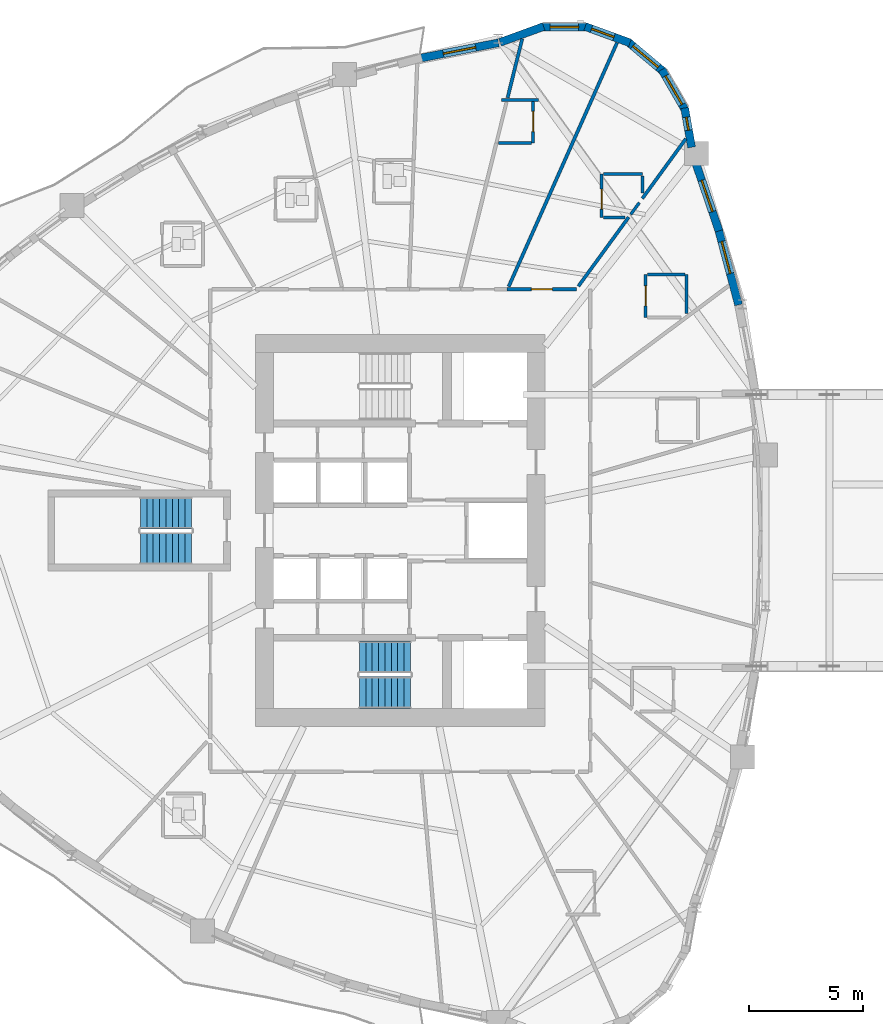
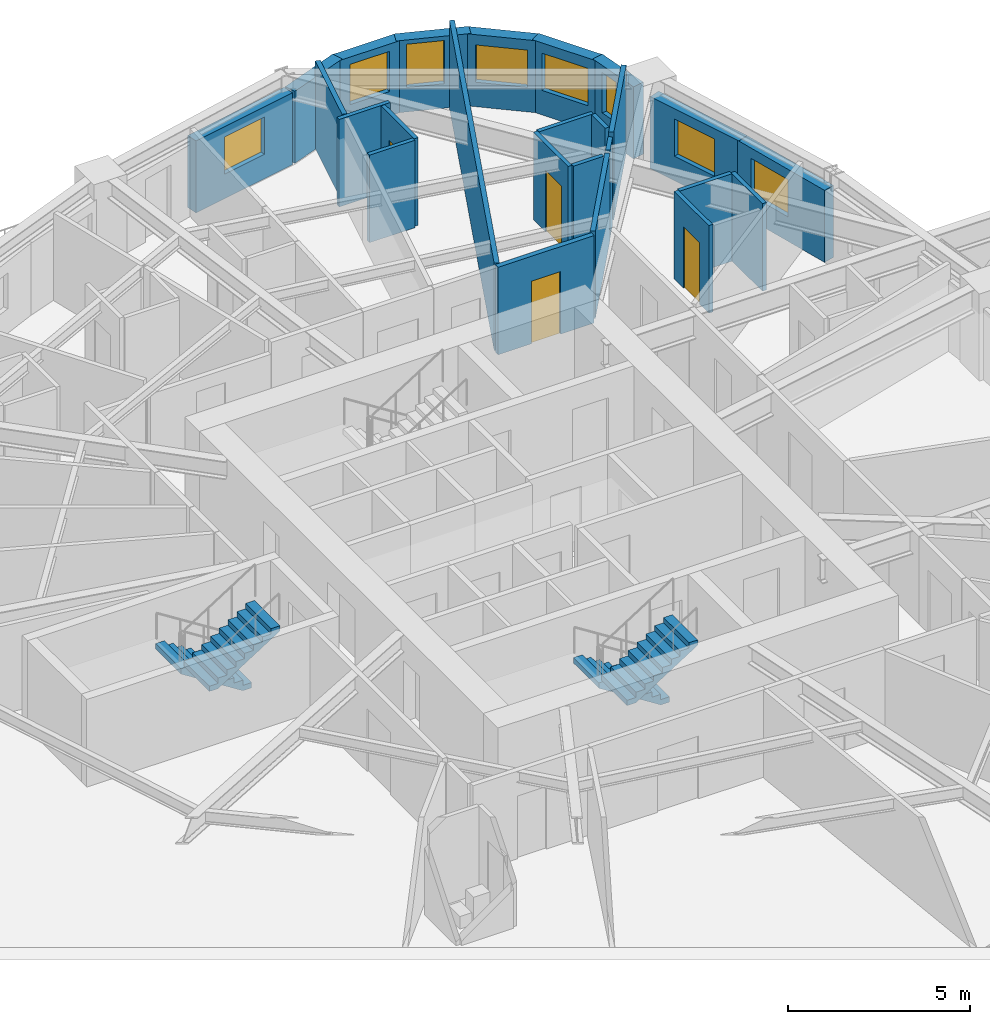
# One storey, part 12 of 18: 25 walls, 8 windows, 4 doors, 4 stair flights, 12 openings, 2 elements without a shape of their own.
"""IFC4 building model written with IfcOpenShell, lengths in metres."""

from ifc_helpers import new_model, si_unit, direction, frame, frame_2d, origin, place, context, subcontext, project, spatial, polyline, rectangle, outline, extrude, source, transform, mapped, material, layer, layer_set, type_object, element, fill, aggregate, save


model = new_model("IFC4")

# Units and contexts
model_context = context("Model", 3, precision=1e-05, world=origin(), true_north=direction((0.0, 1.0)))
body_context = subcontext(model_context, "Body", "Model", "MODEL_VIEW")
ifc_project = project(units=[si_unit("LENGTHUNIT", "METRE"), si_unit("AREAUNIT", "SQUARE_METRE"), si_unit("VOLUMEUNIT", "CUBIC_METRE"), si_unit("PLANEANGLEUNIT", "RADIAN"), si_unit("MASSUNIT", "GRAM", prefix="KILO")], contexts=[model_context])

# Site, building, storey
site_placement = place(None, origin())
site = spatial("IfcSite", under=ifc_project, at=site_placement, CompositionType="ELEMENT")
building_placement = place(site_placement, origin())
building = spatial("IfcBuilding", under=site, at=building_placement, Name="Qafzar Sky-Pleat Residences", CompositionType="ELEMENT")
storey_placement = place(building_placement, frame((0.0, 0.0, 27.0)))
storey = spatial("IfcBuildingStorey", under=building, at=storey_placement, Name="L07", CompositionType="ELEMENT", Elevation=27.0)

# Wall, opening, door
ifc_material_1 = material(Name="Acoustic gypsum plasterboard partition", Category="gypsum")
ifc_layer_1 = layer(ifc_material_1, 0.159912109375)
ifc_layer_set_1 = layer_set([ifc_layer_1], Name="Acoustic gypsum plasterboard partition")
wall_type_1 = type_object("IfcWallType", Name="PART-COR-160", PredefinedType="PARTITIONING", material=ifc_layer_set_1)
wall_1_placement = place(storey_placement, frame((35.035888671875, 36.580078125, 0.0), z_axis=(0.0, 0.0, 1.0), x_axis=(1.0, 0.0, 0.0)))
wall_1 = element("IfcWall", 1, at=wall_1_placement, inside=storey, type_object=wall_type_1, Name="L07 Partition Wall PART-L07-PW-013", PredefinedType="PARTITIONING", context=body_context, shape_type="SweptSolid", body=[
    extrude(rectangle(XDim=3.045166015625, YDim=0.159912109375, at=frame_2d((1.5224609375, 0.0))), origin(), (0.0, 0.0, 1.0), 2.93505859375),
])
opening_1_placement = place(wall_1_placement, frame((1.0615234375, 0.0, 0.0)))
opening_1 = element("IfcOpeningElement", 2, at=opening_1_placement, cuts=wall_1, Name="Opening ID-04", PredefinedType="OPENING", context=body_context, shape_type="SweptSolid", body=[
    extrude(rectangle(XDim=0.919921875, YDim=2.10009765625, at=frame_2d((0.4599609375, 1.050048828125))), frame((0.0, 0.08984375, 0.0), z_axis=(0.0, -1.0, 0.0), x_axis=(1.0, 0.0, 0.0)), (0.0, 0.0, 1.0), 0.179931640625),
])
ifc_material_2 = material(Name="Timber-faced fire door", Category="wood")
door_type_1 = type_object("IfcDoorType", Name="DR-BED-920", OperationType="NOTDEFINED", PredefinedType="DOOR", material=ifc_material_2)
shared_shape_1 = source(origin(), body_context, "Body", "SweptSolid", [
    extrude(rectangle(XDim=0.919921875, YDim=2.10009765625, at=frame_2d((0.4599609375, 1.050048828125))), frame((0.0, 0.02490234375, 0.0), z_axis=(0.0, -1.0, 0.0), x_axis=(1.0, 0.0, 0.0)), (0.0, 0.0, 1.0), 0.050048828125),
])
door_1_placement = place(opening_1_placement, origin())
door_1 = element("IfcDoor", 3, at=door_1_placement, inside=storey, type_object=door_type_1, Name="L07 Co-Living Bedroom 11 Door", OperationType="SINGLE_SWING_LEFT", OverallHeight=2.10009765625, OverallWidth=0.919921875, PredefinedType="DOOR", context=body_context, shape_type="MappedRepresentation", body=[
    mapped(shared_shape_1, transform((0.0, 0.0, 0.0), x_axis=(1.0, 0.0, 0.0), y_axis=(0.0, 1.0, 0.0), z_axis=(0.0, 0.0, 1.0), scale=1.0)),
])
fill(opening_1, door_1)

# Walls
ifc_layer_2 = layer(ifc_material_1, 0.14501953125)
ifc_layer_set_2 = layer_set([ifc_layer_2], Name="Acoustic gypsum plasterboard partition")
wall_type_2 = type_object("IfcWallType", Name="PART-UNIT-145", PredefinedType="PARTITIONING", material=ifc_layer_set_2)
wall_2_placement = place(storey_placement, frame((35.10400390625, 36.69677734375, 0.0), z_axis=(0.0, 0.0, 1.0), x_axis=(0.406121034368, 0.913819295837, 0.0)))
element("IfcWall", 4, at=wall_2_placement, inside=storey, type_object=wall_type_2, Name="L07 Partition Wall PART-L07-PW-035", PredefinedType="PARTITIONING", context=body_context, shape_type="SweptSolid", body=[
    extrude(rectangle(XDim=11.6953125, YDim=0.14501953125, at=frame_2d((5.84765625, 0.0))), origin(), (0.0, 0.0, 1.0), 2.93505859375),
])
wall_3_placement = place(storey_placement, frame((38.156982421875, 36.709228515625, 0.0), z_axis=(0.0, 0.0, 1.0), x_axis=(0.589039209188, 0.808104454906, 0.0)))
element("IfcWall", 5, at=wall_3_placement, inside=storey, type_object=wall_type_2, Name="L07 Partition Wall PART-L07-PW-053", PredefinedType="PARTITIONING", context=body_context, shape_type="SweptSolid", body=[
    extrude(rectangle(XDim=3.746826171875, YDim=0.14501953125, at=frame_2d((1.87353515625, 0.0))), origin(), (0.0, 0.0, 1.0), 2.93505859375),
])
wall_4_placement = place(storey_placement, frame((40.9609375, 40.554931640625, 0.0), z_axis=(0.0, 0.0, 1.0), x_axis=(0.589014212848, 0.808122674514, 0.0)))
element("IfcWall", 6, at=wall_4_placement, inside=storey, type_object=wall_type_2, Name="L07 Partition Wall PART-L07-PW-057", PredefinedType="PARTITIONING", context=body_context, shape_type="SweptSolid", body=[
    extrude(rectangle(XDim=3.238037109375, YDim=0.14501953125, at=frame_2d((1.619140625, 0.0))), origin(), (0.0, 0.0, 1.0), 2.93505859375),
])
wall_5_placement = place(storey_placement, frame((35.054443359375, 44.96923828125, 0.0), z_axis=(0.0, 0.0, 1.0), x_axis=(0.240615617293, 0.970620484388, 0.0)))
element("IfcWall", 7, at=wall_5_placement, inside=storey, type_object=wall_type_2, Name="L07 Partition Wall PART-L07-PW-058", PredefinedType="PARTITIONING", context=body_context, shape_type="SweptSolid", body=[
    extrude(rectangle(XDim=2.66357421875, YDim=0.14501953125, at=frame_2d((1.331787109375, 0.0))), origin(), (0.0, 0.0, 1.0), 2.93505859375),
])

# Wall, opening, door
ifc_material_3 = material(Name="Moisture-resistant gypsum partition", Category="gypsum")
ifc_layer_3 = layer(ifc_material_3, 0.1298828125)
ifc_layer_set_3 = layer_set([ifc_layer_3], Name="Moisture-resistant gypsum partition")
wall_type_3 = type_object("IfcWallType", Name="PART-WET-130", PredefinedType="PARTITIONING", material=ifc_layer_set_3)
wall_6_placement = place(storey_placement, frame((41.10595703125, 37.23291015625, 0.0), z_axis=(0.0, 0.0, 1.0), x_axis=(0.0, -1.0, 0.0)))
wall_6 = element("IfcWall", 8, at=wall_6_placement, inside=storey, type_object=wall_type_3, Name="L07 Partition Wall PART-L07-PW-027", PredefinedType="PARTITIONING", context=body_context, shape_type="SweptSolid", body=[
    extrude(rectangle(XDim=1.89990234375, YDim=0.1298828125, at=frame_2d((0.949951171875, 0.0))), origin(), (0.0, 0.0, 1.0), 2.93505859375),
])
opening_2_placement = place(wall_6_placement, frame((0.510009765625, 0.0, 0.0)))
opening_2 = element("IfcOpeningElement", 9, at=opening_2_placement, cuts=wall_6, Name="Opening ID-07", PredefinedType="OPENING", context=body_context, shape_type="SweptSolid", body=[
    extrude(rectangle(XDim=0.8798828125, YDim=2.050048828125, at=frame_2d((0.43994140625, 1.02490234375))), frame((0.0, 0.074951171875, 0.0), z_axis=(0.0, -1.0, 0.0), x_axis=(1.0, 0.0, 0.0)), (0.0, 0.0, 1.0), 0.14990234375),
])
door_type_2 = type_object("IfcDoorType", Name="DR-WET-880", OperationType="NOTDEFINED", PredefinedType="DOOR", material=ifc_material_2)
shared_shape_2 = source(origin(), body_context, "Body", "SweptSolid", [
    extrude(rectangle(XDim=0.8798828125, YDim=2.050048828125, at=frame_2d((0.43994140625, 1.02490234375))), frame((0.0, 0.02490234375, 0.0), z_axis=(0.0, -1.0, 0.0), x_axis=(1.0, 0.0, 0.0)), (0.0, 0.0, 1.0), 0.050048828125),
])
door_2_placement = place(opening_2_placement, origin())
door_2 = element("IfcDoor", 10, at=door_2_placement, inside=storey, type_object=door_type_2, Name="L07 En-suite Bathroom 10 Door", OperationType="SINGLE_SWING_LEFT", OverallHeight=2.050048828125, OverallWidth=0.8798828125, PredefinedType="DOOR", context=body_context, shape_type="MappedRepresentation", body=[
    mapped(shared_shape_2, transform((0.0, 0.0, 0.0), x_axis=(1.0, 0.0, 0.0), y_axis=(0.0, 1.0, 0.0), z_axis=(0.0, 0.0, 1.0), scale=1.0)),
])
fill(opening_2, door_2)

wall_7_placement = place(storey_placement, frame((39.176025390625, 41.6220703125, 0.0), z_axis=(0.0, 0.0, 1.0), x_axis=(0.0, -1.0, 0.0)))
wall_7 = element("IfcWall", 11, at=wall_7_placement, inside=storey, type_object=wall_type_3, Name="L07 Partition Wall PART-L07-PW-028", PredefinedType="PARTITIONING", context=body_context, shape_type="SweptSolid", body=[
    extrude(rectangle(XDim=1.900146484375, YDim=0.1298828125, at=frame_2d((0.9501953125, 0.0))), origin(), (0.0, 0.0, 1.0), 2.93505859375),
])
opening_3_placement = place(wall_7_placement, frame((0.655029296875, 0.0, 0.0)))
opening_3 = element("IfcOpeningElement", 12, at=opening_3_placement, cuts=wall_7, Name="Opening ID-07", PredefinedType="OPENING", context=body_context, shape_type="SweptSolid", body=[
    extrude(rectangle(XDim=0.8798828125, YDim=2.050048828125, at=frame_2d((0.43994140625, 1.02490234375))), frame((0.0, 0.074951171875, 0.0), z_axis=(0.0, -1.0, 0.0), x_axis=(1.0, 0.0, 0.0)), (0.0, 0.0, 1.0), 0.14990234375),
])
door_3_placement = place(opening_3_placement, origin())
door_3 = element("IfcDoor", 13, at=door_3_placement, inside=storey, type_object=door_type_2, Name="L07 En-suite Bathroom 11 Door", OperationType="SINGLE_SWING_RIGHT", OverallHeight=2.050048828125, OverallWidth=0.8798828125, PredefinedType="DOOR", context=body_context, shape_type="MappedRepresentation", body=[
    mapped(shared_shape_2, transform((0.0, 0.0, 0.0), x_axis=(1.0, 0.0, 0.0), y_axis=(0.0, 1.0, 0.0), z_axis=(0.0, 0.0, 1.0), scale=1.0)),
])
fill(opening_3, door_3)

wall_8_placement = place(storey_placement, frame((36.176025390625, 42.97900390625, 0.0), z_axis=(0.0, 0.0, 1.0), x_axis=(0.0, 1.0, 0.0)))
wall_8 = element("IfcWall", 14, at=wall_8_placement, inside=storey, type_object=wall_type_3, Name="L07 Partition Wall PART-L07-PW-029", PredefinedType="PARTITIONING", context=body_context, shape_type="SweptSolid", body=[
    extrude(rectangle(XDim=1.826904296875, YDim=0.1298828125, at=frame_2d((0.91357421875, 0.0))), origin(), (0.0, 0.0, 1.0), 2.93505859375),
])
opening_4_placement = place(wall_8_placement, frame((0.510009765625, 0.0, 0.0)))
opening_4 = element("IfcOpeningElement", 15, at=opening_4_placement, cuts=wall_8, Name="Opening ID-07", PredefinedType="OPENING", context=body_context, shape_type="SweptSolid", body=[
    extrude(rectangle(XDim=0.8798828125, YDim=2.050048828125, at=frame_2d((0.43994140625, 1.02490234375))), frame((0.0, 0.074951171875, 0.0), z_axis=(0.0, -1.0, 0.0), x_axis=(1.0, 0.0, 0.0)), (0.0, 0.0, 1.0), 0.14990234375),
])
door_4_placement = place(opening_4_placement, origin())
door_4 = element("IfcDoor", 16, at=door_4_placement, inside=storey, type_object=door_type_2, Name="L07 En-suite Bathroom 12 Door", OperationType="SINGLE_SWING_LEFT", OverallHeight=2.050048828125, OverallWidth=0.8798828125, PredefinedType="DOOR", context=body_context, shape_type="MappedRepresentation", body=[
    mapped(shared_shape_2, transform((0.0, 0.0, 0.0), x_axis=(1.0, 0.0, 0.0), y_axis=(0.0, 1.0, 0.0), z_axis=(0.0, 0.0, 1.0), scale=1.0)),
])
fill(opening_4, door_4)

# Walls
wall_9_placement = place(storey_placement, frame((42.906005859375, 35.505859375, 0.0), z_axis=(0.0, 0.0, 1.0), x_axis=(0.0, 1.0, 0.0)))
element("IfcWall", 17, at=wall_9_placement, inside=storey, type_object=wall_type_3, Name="L07 Partition Wall PART-L07-PW-065", PredefinedType="PARTITIONING", context=body_context, shape_type="SweptSolid", body=[
    extrude(rectangle(XDim=1.72705078125, YDim=0.1298828125, at=frame_2d((0.863525390625, 0.0))), origin(), (0.0, 0.0, 1.0), 2.93505859375),
])
wall_10_placement = place(storey_placement, frame((41.178955078125, 37.23291015625, 0.0), z_axis=(0.0, 0.0, 1.0), x_axis=(1.0, 0.0, 0.0)))
element("IfcWall", 18, at=wall_10_placement, inside=storey, type_object=wall_type_3, Name="L07 Partition Wall PART-L07-PW-077", PredefinedType="PARTITIONING", context=body_context, shape_type="SweptSolid", body=[
    extrude(rectangle(XDim=1.654052734375, YDim=0.1298828125, at=frame_2d((0.8271484375, 0.0))), origin(), (0.0, 0.0, 1.0), 2.93505859375),
])
wall_11_placement = place(storey_placement, frame((39.2490234375, 41.6220703125, 0.0), z_axis=(0.0, 0.0, 1.0), x_axis=(1.0, 0.0, 0.0)))
element("IfcWall", 19, at=wall_11_placement, inside=storey, type_object=wall_type_3, Name="L07 Partition Wall PART-L07-PW-078", PredefinedType="PARTITIONING", context=body_context, shape_type="SweptSolid", body=[
    extrude(rectangle(XDim=1.72705078125, YDim=0.1298828125, at=frame_2d((0.863525390625, 0.0))), origin(), (0.0, 0.0, 1.0), 2.93505859375),
])
wall_12_placement = place(storey_placement, frame((34.659912109375, 42.97900390625, 0.0), z_axis=(0.0, 0.0, 1.0), x_axis=(1.0, 0.0, 0.0)))
element("IfcWall", 20, at=wall_12_placement, inside=storey, type_object=wall_type_3, Name="L07 Partition Wall PART-L07-PW-086", PredefinedType="PARTITIONING", context=body_context, shape_type="SweptSolid", body=[
    extrude(rectangle(XDim=1.443115234375, YDim=0.1298828125, at=frame_2d((0.7216796875, 0.0))), origin(), (0.0, 0.0, 1.0), 2.93505859375),
])
wall_13_placement = place(storey_placement, frame((39.2490234375, 39.721923828125, 0.0), z_axis=(0.0, 0.0, 1.0), x_axis=(1.0, 0.0, 0.0)))
element("IfcWall", 21, at=wall_13_placement, inside=storey, type_object=wall_type_3, Name="L07 Partition Wall PART-L07-PW-091", PredefinedType="PARTITIONING", context=body_context, shape_type="SweptSolid", body=[
    extrude(rectangle(XDim=0.958984375, YDim=0.1298828125, at=frame_2d((0.4794921875, 0.0))), origin(), (0.0, 0.0, 1.0), 2.93505859375),
])
wall_14_placement = place(storey_placement, frame((34.7919921875, 44.87890625, 0.0), z_axis=(0.0, 0.0, 1.0), x_axis=(1.0, 0.0, 0.0)))
element("IfcWall", 22, at=wall_14_placement, inside=storey, type_object=wall_type_3, Name="L07 Partition Wall PART-L07-PW-092", PredefinedType="PARTITIONING", context=body_context, shape_type="SweptSolid", body=[
    extrude(rectangle(XDim=1.6240234375, YDim=0.1298828125, at=frame_2d((0.81201171875, 0.0))), origin(), (0.0, 0.0, 1.0), 2.93505859375),
])
wall_15_placement = place(storey_placement, frame((40.97607421875, 40.79638671875, 0.0), z_axis=(0.0, 0.0, 1.0), x_axis=(0.0, 1.0, 0.0)))
element("IfcWall", 23, at=wall_15_placement, inside=storey, type_object=wall_type_3, Name="L07 Partition Wall PART-L07-PW-093", PredefinedType="PARTITIONING", context=body_context, shape_type="SweptSolid", body=[
    extrude(rectangle(XDim=0.752685546875, YDim=0.1298828125, at=frame_2d((0.37646484375, 0.0))), origin(), (0.0, 0.0, 1.0), 2.93505859375),
])
wall_16_placement = place(storey_placement, frame((40.453369140625, 39.8583984375, 0.0), z_axis=(0.0, 0.0, 1.0), x_axis=(0.589192932261, 0.807992381507, 0.0)))
element("IfcWall", 24, at=wall_16_placement, inside=storey, type_object=wall_type_3, Name="L07 Partition Wall PART-L07-PW-095", PredefinedType="PARTITIONING", context=body_context, shape_type="SweptSolid", body=[
    extrude(rectangle(XDim=0.639404296875, YDim=0.1298828125, at=frame_2d((0.31982421875, 0.0))), origin(), (0.0, 0.0, 1.0), 2.93505859375),
])

# Wall, opening, window
ifc_material_4 = material(Name="Precast concrete C40/50 with honed Riyadh limestone", Category="concrete")
ifc_layer_4 = layer(ifc_material_4, 0.35009765625)
ifc_layer_set_4 = layer_set([ifc_layer_4], Name="Precast concrete C40/50 with honed Riyadh limestone")
wall_type_4 = type_object("IfcWallType", Name="WALL-EXT-350", PredefinedType="SOLIDWALL", material=ifc_layer_set_4)
wall_17_placement = place(storey_placement, frame((45.180908203125, 35.893798828125, 0.0), z_axis=(0.0, 0.0, 1.0), x_axis=(-0.257039630222, 0.966400863253, 0.0)))
wall_17 = element("IfcWall", 25, at=wall_17_placement, inside=storey, type_object=wall_type_4, Name="L07 Limestone Facade Wall 31", PredefinedType="SOLIDWALL", context=body_context, shape_type="SweptSolid", body=[
    extrude(rectangle(XDim=3.439208984375, YDim=0.35009765625, at=frame_2d((1.7197265625, 0.0))), origin(), (0.0, 0.0, 1.0), 2.4150390625),
])
opening_5_placement = place(wall_17_placement, frame((1.4228515625, 0.0, 0.820068359375)))
opening_5 = element("IfcOpeningElement", 26, at=opening_5_placement, cuts=wall_17, Name="Opening WN-15", PredefinedType="OPENING", context=body_context, shape_type="SweptSolid", body=[
    extrude(rectangle(XDim=1.449951171875, YDim=1.25, at=frame_2d((0.72509765625, 0.625))), frame((0.0, 0.18505859375, 0.0), z_axis=(0.0, -1.0, 0.0), x_axis=(1.0, 0.0, 0.0)), (0.0, 0.0, 1.0), 0.3701171875),
])
ifc_material_5 = material(Name="Solar-control low-E glass in bronze aluminium frame", Category="glass")
window_type_1 = type_object("IfcWindowType", Name="WIN-15", PartitioningType="SINGLE_PANEL", PredefinedType="WINDOW", material=ifc_material_5)
shared_shape_3 = source(origin(), body_context, "Body", "SweptSolid", [
    extrude(rectangle(XDim=1.449951171875, YDim=1.25, at=frame_2d((0.72509765625, 0.625))), frame((0.0, 0.030029296875, 0.0), z_axis=(0.0, -1.0, 0.0), x_axis=(1.0, 0.0, 0.0)), (0.0, 0.0, 1.0), 0.06005859375),
])
window_1_placement = place(opening_5_placement, origin())
window_1 = element("IfcWindow", 27, at=window_1_placement, inside=storey, type_object=window_type_1, Name="L07 Punched Facade Window 31-2", OverallHeight=1.25, OverallWidth=1.449951171875, PartitioningType="SINGLE_PANEL", PredefinedType="WINDOW", context=body_context, shape_type="MappedRepresentation", body=[
    mapped(shared_shape_3, transform((0.0, 0.0, 0.0), x_axis=(1.0, 0.0, 0.0), y_axis=(0.0, 1.0, 0.0), z_axis=(0.0, 0.0, 1.0), scale=1.0)),
])
fill(opening_5, window_1)

wall_18_placement = place(storey_placement, frame((44.322509765625, 39.13330078125, 0.0), z_axis=(0.0, 0.0, 1.0), x_axis=(-0.323559565071, 0.946207803736, 0.0)))
wall_18 = element("IfcWall", 28, at=wall_18_placement, inside=storey, type_object=wall_type_4, Name="L07 Limestone Facade Wall 32", PredefinedType="SOLIDWALL", context=body_context, shape_type="SweptSolid", body=[
    extrude(rectangle(XDim=3.232421875, YDim=0.35009765625, at=frame_2d((1.6162109375, 0.0))), origin(), (0.0, 0.0, 1.0), 2.4150390625),
])
opening_6_placement = place(wall_18_placement, frame((0.896240234375, 0.0, 0.820068359375)))
opening_6 = element("IfcOpeningElement", 29, at=opening_6_placement, cuts=wall_18, Name="Opening WN-15", PredefinedType="OPENING", context=body_context, shape_type="SweptSolid", body=[
    extrude(rectangle(XDim=1.449951171875, YDim=1.25, at=frame_2d((0.72509765625, 0.625))), frame((0.0, 0.18505859375, 0.0), z_axis=(0.0, -1.0, 0.0), x_axis=(1.0, 0.0, 0.0)), (0.0, 0.0, 1.0), 0.3701171875),
])
window_2_placement = place(opening_6_placement, origin())
window_2 = element("IfcWindow", 30, at=window_2_placement, inside=storey, type_object=window_type_1, Name="L07 Punched Facade Window 32", OverallHeight=1.25, OverallWidth=1.449951171875, PartitioningType="SINGLE_PANEL", PredefinedType="WINDOW", context=body_context, shape_type="MappedRepresentation", body=[
    mapped(shared_shape_3, transform((0.0, 0.0, 0.0), x_axis=(1.0, 0.0, 0.0), y_axis=(0.0, 1.0, 0.0), z_axis=(0.0, 0.0, 1.0), scale=1.0)),
])
fill(opening_6, window_2)

wall_19_placement = place(storey_placement, frame((43.12060546875, 42.797607421875, 0.0), z_axis=(0.0, 0.0, 1.0), x_axis=(-0.173610462023, 0.984814402553, 0.0)))
wall_19 = element("IfcWall", 31, at=wall_19_placement, inside=storey, type_object=wall_type_4, Name="L07 Limestone Facade Wall 33", PredefinedType="SOLIDWALL", context=body_context, shape_type="SweptSolid", body=[
    extrude(rectangle(XDim=1.752197265625, YDim=0.35009765625, at=frame_2d((0.8759765625, 0.0))), origin(), (0.0, 0.0, 1.0), 2.4150390625),
])
opening_7_placement = place(wall_19_placement, frame((0.760986328125, 0.0, 0.820068359375)))
opening_7 = element("IfcOpeningElement", 32, at=opening_7_placement, cuts=wall_19, Name="Opening WN-17", PredefinedType="OPENING", context=body_context, shape_type="SweptSolid", body=[
    extrude(rectangle(XDim=0.580078125, YDim=1.35009765625, at=frame_2d((0.2900390625, 0.675048828125))), frame((0.0, 0.18505859375, 0.0), z_axis=(0.0, -1.0, 0.0), x_axis=(1.0, 0.0, 0.0)), (0.0, 0.0, 1.0), 0.3701171875),
])
window_type_2 = type_object("IfcWindowType", Name="WIN-17", PartitioningType="SINGLE_PANEL", PredefinedType="WINDOW", material=ifc_material_5)
shared_shape_4 = source(origin(), body_context, "Body", "SweptSolid", [
    extrude(rectangle(XDim=0.580078125, YDim=1.35009765625, at=frame_2d((0.2900390625, 0.675048828125))), frame((0.0, 0.030029296875, 0.0), z_axis=(0.0, -1.0, 0.0), x_axis=(1.0, 0.0, 0.0)), (0.0, 0.0, 1.0), 0.06005859375),
])
window_3_placement = place(opening_7_placement, origin())
window_3 = element("IfcWindow", 33, at=window_3_placement, inside=storey, type_object=window_type_2, Name="L07 Punched Facade Window 33-2", OverallHeight=1.35009765625, OverallWidth=0.580078125, PartitioningType="SINGLE_PANEL", PredefinedType="WINDOW", context=body_context, shape_type="MappedRepresentation", body=[
    mapped(shared_shape_4, transform((0.0, 0.0, 0.0), x_axis=(1.0, 0.0, 0.0), y_axis=(0.0, 1.0, 0.0), z_axis=(0.0, 0.0, 1.0), scale=1.0)),
])
fill(opening_7, window_3)

wall_20_placement = place(storey_placement, frame((42.862548828125, 44.395751953125, 0.0), z_axis=(0.0, 0.0, 1.0), x_axis=(-0.499995423472, 0.866028046028, 0.0)))
wall_20 = element("IfcWall", 34, at=wall_20_placement, inside=storey, type_object=wall_type_4, Name="L07 Limestone Facade Wall 34", PredefinedType="SOLIDWALL", context=body_context, shape_type="SweptSolid", body=[
    extrude(rectangle(XDim=2.09033203125, YDim=0.35009765625, at=frame_2d((1.045166015625, 0.0))), origin(), (0.0, 0.0, 1.0), 2.4150390625),
])
opening_8_placement = place(wall_20_placement, frame((0.3203125, 0.0, 0.820068359375)))
opening_8 = element("IfcOpeningElement", 35, at=opening_8_placement, cuts=wall_20, Name="Opening WN-15", PredefinedType="OPENING", context=body_context, shape_type="SweptSolid", body=[
    extrude(rectangle(XDim=1.449951171875, YDim=1.25, at=frame_2d((0.72509765625, 0.625))), frame((0.0, 0.18505859375, 0.0), z_axis=(0.0, -1.0, 0.0), x_axis=(1.0, 0.0, 0.0)), (0.0, 0.0, 1.0), 0.3701171875),
])
window_4_placement = place(opening_8_placement, origin())
window_4 = element("IfcWindow", 36, at=window_4_placement, inside=storey, type_object=window_type_1, Name="L07 Punched Facade Window 34", OverallHeight=1.25, OverallWidth=1.449951171875, PartitioningType="SINGLE_PANEL", PredefinedType="WINDOW", context=body_context, shape_type="MappedRepresentation", body=[
    mapped(shared_shape_3, transform((0.0, 0.0, 0.0), x_axis=(1.0, 0.0, 0.0), y_axis=(0.0, 1.0, 0.0), z_axis=(0.0, 0.0, 1.0), scale=1.0)),
])
fill(opening_8, window_4)

wall_21_placement = place(storey_placement, frame((41.90478515625, 46.10205078125, 0.0), z_axis=(0.0, 0.0, 1.0), x_axis=(-0.766024572719, 0.642811289563, 0.0)))
wall_21 = element("IfcWall", 37, at=wall_21_placement, inside=storey, type_object=wall_type_4, Name="L07 Limestone Facade Wall 35", PredefinedType="SOLIDWALL", context=body_context, shape_type="SweptSolid", body=[
    extrude(rectangle(XDim=2.09033203125, YDim=0.35009765625, at=frame_2d((1.045166015625, 0.0))), origin(), (0.0, 0.0, 1.0), 2.4150390625),
])
opening_9_placement = place(wall_21_placement, frame((0.3203125, 0.0, 0.820068359375)))
opening_9 = element("IfcOpeningElement", 38, at=opening_9_placement, cuts=wall_21, Name="Opening WN-15", PredefinedType="OPENING", context=body_context, shape_type="SweptSolid", body=[
    extrude(rectangle(XDim=1.449951171875, YDim=1.25, at=frame_2d((0.72509765625, 0.625))), frame((0.0, 0.18505859375, 0.0), z_axis=(0.0, -1.0, 0.0), x_axis=(1.0, 0.0, 0.0)), (0.0, 0.0, 1.0), 0.3701171875),
])
window_5_placement = place(opening_9_placement, origin())
window_5 = element("IfcWindow", 39, at=window_5_placement, inside=storey, type_object=window_type_1, Name="L07 Punched Facade Window 35", OverallHeight=1.25, OverallWidth=1.449951171875, PartitioningType="SINGLE_PANEL", PredefinedType="WINDOW", context=body_context, shape_type="MappedRepresentation", body=[
    mapped(shared_shape_3, transform((0.0, 0.0, 0.0), x_axis=(1.0, 0.0, 0.0), y_axis=(0.0, 1.0, 0.0), z_axis=(0.0, 0.0, 1.0), scale=1.0)),
])
fill(opening_9, window_5)

wall_22_placement = place(storey_placement, frame((40.4208984375, 47.3779296875, 0.0), z_axis=(0.0, 0.0, 1.0), x_axis=(-0.939711556618, 0.341968113072, 0.0)))
wall_22 = element("IfcWall", 40, at=wall_22_placement, inside=storey, type_object=wall_type_4, Name="L07 Limestone Facade Wall 36", PredefinedType="SOLIDWALL", context=body_context, shape_type="SweptSolid", body=[
    extrude(rectangle(XDim=2.09033203125, YDim=0.35009765625, at=frame_2d((1.045166015625, 0.0))), origin(), (0.0, 0.0, 1.0), 2.4150390625),
])
opening_10_placement = place(wall_22_placement, frame((0.746826171875, 0.0, 0.820068359375)))
opening_10 = element("IfcOpeningElement", 41, at=opening_10_placement, cuts=wall_22, Name="Opening WN-06", PredefinedType="OPENING", context=body_context, shape_type="SweptSolid", body=[
    extrude(rectangle(XDim=1.050048828125, YDim=1.449951171875, at=frame_2d((0.52490234375, 0.72509765625))), frame((0.0, 0.18505859375, 0.0), z_axis=(0.0, -1.0, 0.0), x_axis=(1.0, 0.0, 0.0)), (0.0, 0.0, 1.0), 0.3701171875),
])
window_type_3 = type_object("IfcWindowType", Name="WIN-06", PartitioningType="SINGLE_PANEL", PredefinedType="WINDOW", material=ifc_material_5)
shared_shape_5 = source(origin(), body_context, "Body", "SweptSolid", [
    extrude(rectangle(XDim=1.050048828125, YDim=1.449951171875, at=frame_2d((0.52490234375, 0.72509765625))), frame((0.0, 0.030029296875, 0.0), z_axis=(0.0, -1.0, 0.0), x_axis=(1.0, 0.0, 0.0)), (0.0, 0.0, 1.0), 0.06005859375),
])
window_6_placement = place(opening_10_placement, origin())
window_6 = element("IfcWindow", 42, at=window_6_placement, inside=storey, type_object=window_type_3, Name="L07 Punched Facade Window 36-2", OverallHeight=1.449951171875, OverallWidth=1.050048828125, PartitioningType="SINGLE_PANEL", PredefinedType="WINDOW", context=body_context, shape_type="MappedRepresentation", body=[
    mapped(shared_shape_5, transform((0.0, 0.0, 0.0), x_axis=(1.0, 0.0, 0.0), y_axis=(0.0, 1.0, 0.0), z_axis=(0.0, 0.0, 1.0), scale=1.0)),
])
fill(opening_10, window_6)

wall_23_placement = place(storey_placement, frame((38.590087890625, 48.0693359375, 0.0), z_axis=(0.0, 0.0, 1.0), x_axis=(-1.0, 0.0, 0.0)))
wall_23 = element("IfcWall", 43, at=wall_23_placement, inside=storey, type_object=wall_type_4, Name="L07 Limestone Facade Wall 37", PredefinedType="SOLIDWALL", context=body_context, shape_type="SweptSolid", body=[
    extrude(rectangle(XDim=2.09033203125, YDim=0.35009765625, at=frame_2d((1.045166015625, 0.0))), origin(), (0.0, 0.0, 1.0), 2.4150390625),
])
opening_11_placement = place(wall_23_placement, frame((0.420166015625, 0.0, 0.820068359375)))
opening_11 = element("IfcOpeningElement", 44, at=opening_11_placement, cuts=wall_23, Name="Opening WN-11", PredefinedType="OPENING", context=body_context, shape_type="SweptSolid", body=[
    extrude(rectangle(XDim=1.25, YDim=1.35009765625, at=frame_2d((0.625, 0.675048828125))), frame((0.0, 0.18505859375, 0.0), z_axis=(0.0, -1.0, 0.0), x_axis=(1.0, 0.0, 0.0)), (0.0, 0.0, 1.0), 0.3701171875),
])
window_type_4 = type_object("IfcWindowType", Name="WIN-11", PartitioningType="SINGLE_PANEL", PredefinedType="WINDOW", material=ifc_material_5)
shared_shape_6 = source(origin(), body_context, "Body", "SweptSolid", [
    extrude(rectangle(XDim=1.25, YDim=1.35009765625, at=frame_2d((0.625, 0.675048828125))), frame((0.0, 0.030029296875, 0.0), z_axis=(0.0, -1.0, 0.0), x_axis=(1.0, 0.0, 0.0)), (0.0, 0.0, 1.0), 0.06005859375),
])
window_7_placement = place(opening_11_placement, origin())
window_7 = element("IfcWindow", 45, at=window_7_placement, inside=storey, type_object=window_type_4, Name="L07 Punched Facade Window 37", OverallHeight=1.35009765625, OverallWidth=1.25, PartitioningType="SINGLE_PANEL", PredefinedType="WINDOW", context=body_context, shape_type="MappedRepresentation", body=[
    mapped(shared_shape_6, transform((0.0, 0.0, 0.0), x_axis=(1.0, 0.0, 0.0), y_axis=(0.0, 1.0, 0.0), z_axis=(0.0, 0.0, 1.0), scale=1.0)),
])
fill(opening_11, window_7)

# Wall
wall_24_placement = place(storey_placement, frame((36.63330078125, 48.0927734375, 0.0), z_axis=(0.0, 0.0, 1.0), x_axis=(-0.939691662178, -0.342022777067, 0.0)))
element("IfcWall", 46, at=wall_24_placement, inside=storey, type_object=wall_type_4, Name="L07 Limestone Facade Wall 38", PredefinedType="SOLIDWALL", context=body_context, shape_type="SweptSolid", body=[
    extrude(rectangle(XDim=2.0322265625, YDim=0.35009765625, at=frame_2d((1.01611328125, 0.0))), origin(), (0.0, 0.0, 1.0), 2.4150390625),
])

# Wall, opening, window
wall_25_placement = place(storey_placement, frame((34.6591796875, 47.3798828125, 0.0), z_axis=(0.0, 0.0, 1.0), x_axis=(-0.981222284826, -0.19288034571, 0.0)))
wall_25 = element("IfcWall", 47, at=wall_25_placement, inside=storey, type_object=wall_type_4, Name="L07 Limestone Facade Wall 39", PredefinedType="SOLIDWALL", context=body_context, shape_type="SweptSolid", body=[
    extrude(rectangle(XDim=3.512451171875, YDim=0.35009765625, at=frame_2d((1.75634765625, 0.0))), origin(), (0.0, 0.0, 1.0), 2.4150390625),
])
opening_12_placement = place(wall_25_placement, frame((1.021240234375, 0.0, 0.820068359375)))
opening_12 = element("IfcOpeningElement", 48, at=opening_12_placement, cuts=wall_25, Name="Opening WN-15", PredefinedType="OPENING", context=body_context, shape_type="SweptSolid", body=[
    extrude(rectangle(XDim=1.449951171875, YDim=1.25, at=frame_2d((0.72509765625, 0.625))), frame((0.0, 0.18505859375, 0.0), z_axis=(0.0, -1.0, 0.0), x_axis=(1.0, 0.0, 0.0)), (0.0, 0.0, 1.0), 0.3701171875),
])
window_8_placement = place(opening_12_placement, origin())
window_8 = element("IfcWindow", 49, at=window_8_placement, inside=storey, type_object=window_type_1, Name="L07 Punched Facade Window 39", OverallHeight=1.25, OverallWidth=1.449951171875, PartitioningType="SINGLE_PANEL", PredefinedType="WINDOW", context=body_context, shape_type="MappedRepresentation", body=[
    mapped(shared_shape_3, transform((0.0, 0.0, 0.0), x_axis=(1.0, 0.0, 0.0), y_axis=(0.0, 1.0, 0.0), z_axis=(0.0, 0.0, 1.0), scale=1.0)),
])
fill(opening_12, window_8)

# Stair, stair flights
ifc_material_6 = material(Name="Concrete C40/50", Category="concrete")
stair_type = type_object("IfcStairType", Name="STAIR-H320", PredefinedType="HALF_TURN_STAIR", material=ifc_material_6)
stair_1_placement = place(storey_placement, origin())
stair_1 = element("IfcStair", 50, at=stair_1_placement, inside=storey, type_object=stair_type, Name="L07 Protected Exit Stair ST1", PredefinedType="HALF_TURN_STAIR")
stair_flight_type = type_object("IfcStairFlightType", Name="FLIGHT-H320", PredefinedType="STRAIGHT", material=ifc_material_6)
shared_shape_7 = source(origin(), body_context, "Body", "SweptSolid", [
    extrude(outline(polyline([(0.0, 0.0), (0.0, 0.177734375), (0.280029296875, 0.177734375), (0.280029296875, 0.35546875), (0.56005859375, 0.35546875), (0.56005859375, 0.533447265625), (0.840087890625, 0.533447265625), (0.840087890625, 0.711181640625), (1.1201171875, 0.711181640625), (1.1201171875, 0.888916015625), (1.39990234375, 0.888916015625), (1.39990234375, 1.066650390625), (1.679931640625, 1.066650390625), (1.679931640625, 1.244384765625), (1.9599609375, 1.244384765625), (1.9599609375, 1.422119140625), (2.239990234375, 1.422119140625), (2.239990234375, 1.60009765625), (2.239990234375, 1.24462890625), (0.27978515625, 0.0), (0.0, 0.0)])), frame((0.0, 0.699951171875, 0.0), z_axis=(0.0, -1.0, 0.0), x_axis=(1.0, 0.0, 0.0)), (0.0, 0.0, 1.0), 1.39990234375),
])
stair_flight_1_placement = place(storey_placement, frame((30.800048828125, 20.449951171875, 0.0), z_axis=(0.0, 0.0, 1.0), x_axis=(-1.0, 0.0, 0.0)))
stair_flight_1 = element("IfcStairFlight", 51, at=stair_flight_1_placement, type_object=stair_flight_type, Name="ST1 flight 1", NumberOfRisers=9, NumberOfTreads=8, PredefinedType="STRAIGHT", RiserHeight=0.177777778, TreadLength=0.28, context=body_context, shape_type="MappedRepresentation", body=[
    mapped(shared_shape_7, transform((0.0, 0.0, 0.0), x_axis=(1.0, 0.0, 0.0), y_axis=(0.0, 1.0, 0.0), z_axis=(0.0, 0.0, 1.0), scale=1.0)),
])
stair_flight_2_placement = place(storey_placement, frame((28.56005859375, 18.89990234375, 1.60009765625), z_axis=(0.0, 0.0, 1.0), x_axis=(1.0, 0.0, 0.0)))
stair_flight_2 = element("IfcStairFlight", 52, at=stair_flight_2_placement, type_object=stair_flight_type, Name="ST1 flight 2", NumberOfRisers=9, NumberOfTreads=8, PredefinedType="STRAIGHT", RiserHeight=0.177777778, TreadLength=0.28, context=body_context, shape_type="MappedRepresentation", body=[
    mapped(shared_shape_7, transform((0.0, 0.0, 0.0), x_axis=(1.0, 0.0, 0.0), y_axis=(0.0, 1.0, 0.0), z_axis=(0.0, 0.0, 1.0), scale=1.0)),
])
aggregate(stair_1, [stair_flight_1, stair_flight_2])

stair_2_placement = place(storey_placement, origin())
stair_2 = element("IfcStair", 53, at=stair_2_placement, inside=storey, type_object=stair_type, Name="L07 Protected Exit Stair ST3", PredefinedType="HALF_TURN_STAIR")
stair_flight_3_placement = place(storey_placement, frame((21.199951171875, 26.77490234375, 0.0), z_axis=(0.0, 0.0, 1.0), x_axis=(-1.0, 0.0, 0.0)))
stair_flight_3 = element("IfcStairFlight", 54, at=stair_flight_3_placement, type_object=stair_flight_type, Name="ST3 flight 1", NumberOfRisers=9, NumberOfTreads=8, PredefinedType="STRAIGHT", RiserHeight=0.177777778, TreadLength=0.28, context=body_context, shape_type="MappedRepresentation", body=[
    mapped(shared_shape_7, transform((0.0, 0.0, 0.0), x_axis=(1.0, 0.0, 0.0), y_axis=(0.0, 1.0, 0.0), z_axis=(0.0, 0.0, 1.0), scale=1.0)),
])
stair_flight_4_placement = place(storey_placement, frame((18.9599609375, 25.22509765625, 1.60009765625), z_axis=(0.0, 0.0, 1.0), x_axis=(1.0, 0.0, 0.0)))
stair_flight_4 = element("IfcStairFlight", 55, at=stair_flight_4_placement, type_object=stair_flight_type, Name="ST3 flight 2", NumberOfRisers=9, NumberOfTreads=8, PredefinedType="STRAIGHT", RiserHeight=0.177777778, TreadLength=0.28, context=body_context, shape_type="MappedRepresentation", body=[
    mapped(shared_shape_7, transform((0.0, 0.0, 0.0), x_axis=(1.0, 0.0, 0.0), y_axis=(0.0, 1.0, 0.0), z_axis=(0.0, 0.0, 1.0), scale=1.0)),
])
aggregate(stair_2, [stair_flight_3, stair_flight_4])

save(model, "model.ifc")
